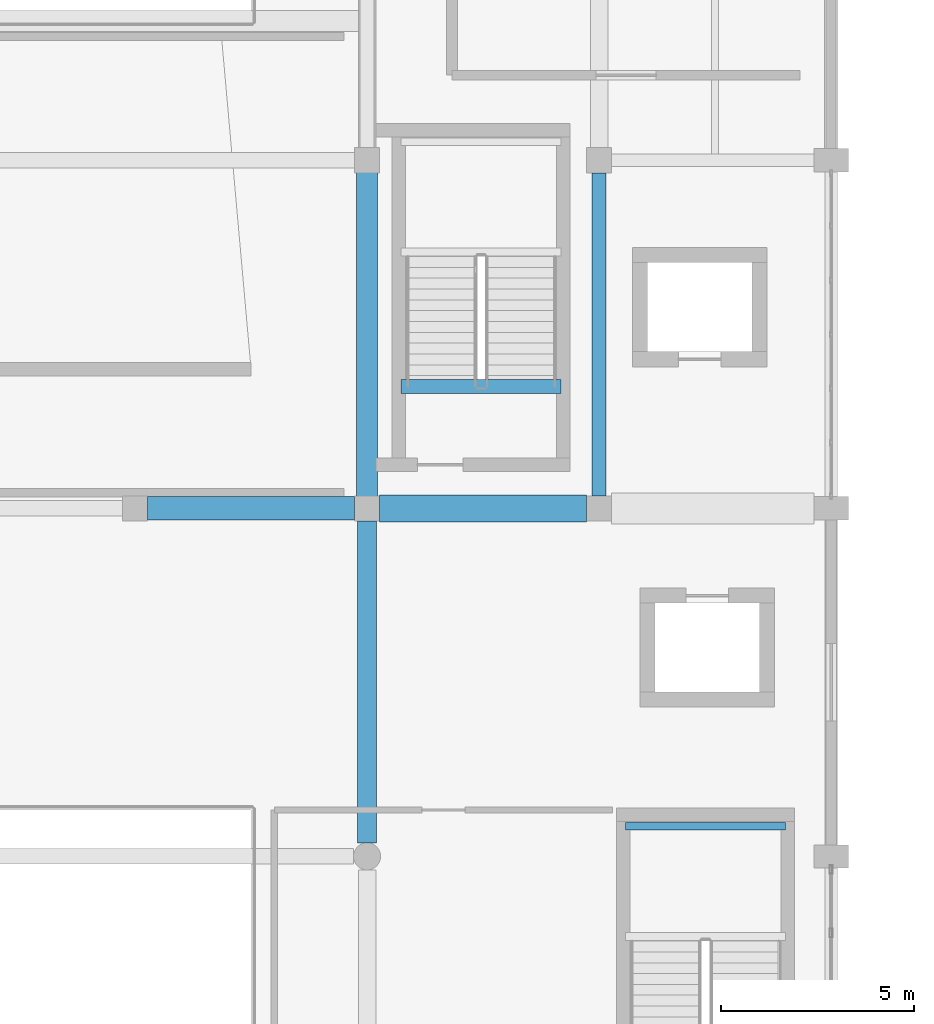
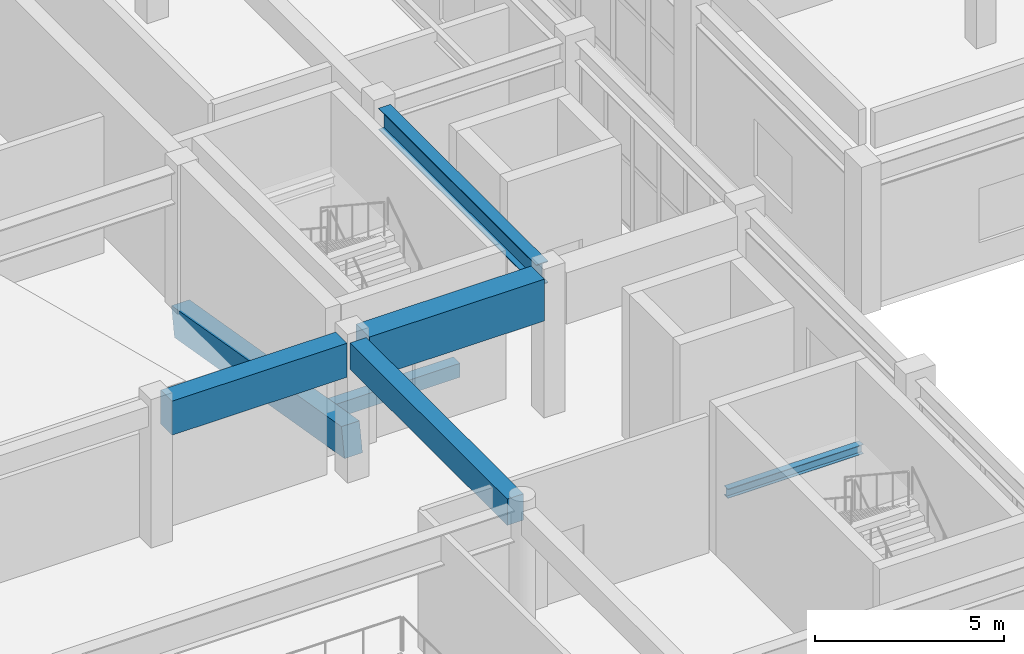
# One storey, part 24 of 85: 7 beams.
"""IFC4 building model written with IfcOpenShell, lengths in metres."""

from ifc_helpers import new_model, si_unit, direction, frame, origin, origin_2d, place, context, subcontext, project, spatial, rectangle, i_section, extrude, material, material_profile, profile_set, type_object, element, save


model = new_model("IFC4")

# Units and contexts
model_context = context("Model", 3, precision=1e-05, world=origin(), true_north=direction((0.0, 1.0)))
body_context = subcontext(model_context, "Body", "Model", "MODEL_VIEW")
ifc_project = project(units=[si_unit("LENGTHUNIT", "METRE"), si_unit("AREAUNIT", "SQUARE_METRE"), si_unit("VOLUMEUNIT", "CUBIC_METRE"), si_unit("PLANEANGLEUNIT", "RADIAN"), si_unit("MASSUNIT", "GRAM", prefix="KILO")], contexts=[model_context])

# Site, building, storey
site_placement = place(None, origin())
site = spatial("IfcSite", under=ifc_project, at=site_placement, CompositionType="ELEMENT")
building_placement = place(site_placement, origin())
building = spatial("IfcBuilding", under=site, at=building_placement, Name="Vaelkrest Opera House", CompositionType="ELEMENT")
storey_placement = place(building_placement, frame((0.0, 0.0, 10.199951171875)))
storey = spatial("IfcBuildingStorey", under=building, at=storey_placement, Name="L02", CompositionType="ELEMENT", Elevation=10.199951171875)

# Beams
ifc_material_1 = material(Name="Concrete C50/60", Category="concrete")
ifc_material_profile_1 = material_profile(ifc_material_1, rectangle(XDim=0.5, YDim=0.85009765625, at=origin_2d()), Name="RCB500X850")
ifc_profile_set_1 = profile_set([ifc_material_profile_1], Name="Concrete C50/60")
beam_type_1 = type_object("IfcBeamType", Name="B03", PredefinedType="BEAM", material=ifc_profile_set_1)
beam_1_placement = place(storey_placement, frame((18.0, -37.449951171875, 4.080078125), z_axis=(0.0, 1.0, 0.0), x_axis=(-1.0, 0.0, 0.0)))
element("IfcBeam", 1, at=beam_1_placement, inside=storey, type_object=beam_type_1, Name="Beam BM-V1-L02-0388", PredefinedType="BEAM", context=body_context, shape_type="SweptSolid", body=[
    extrude(rectangle(XDim=0.5, YDim=0.85009765625, at=origin_2d()), origin(), (0.0, 0.0, 1.0), 8.324951171875),
])
ifc_material_profile_2 = material_profile(ifc_material_1, rectangle(XDim=0.550048828125, YDim=0.949951171875, at=origin_2d()), Name="RCB550X950")
ifc_profile_set_2 = profile_set([ifc_material_profile_2], Name="Concrete C50/60")
beam_type_2 = type_object("IfcBeamType", Name="B04", PredefinedType="BEAM", material=ifc_profile_set_2)
beam_2_placement = place(storey_placement, frame((18.0, -19.800048828125, -0.450927734375), z_axis=(0.0, -0.985566738345, 0.169287342318), x_axis=(1.0, 0.0, 0.0)))
element("IfcBeam", 2, at=beam_2_placement, inside=storey, type_object=beam_type_2, Name="Auditorium raker beam 6", PredefinedType="BEAM", context=body_context, shape_type="SweptSolid", body=[
    extrude(rectangle(XDim=0.550048828125, YDim=0.949951171875, at=origin_2d()), origin(), (0.0, 0.0, 1.0), 9.1318359375),
])
ifc_material_profile_3 = material_profile(ifc_material_1, rectangle(XDim=0.60009765625, YDim=1.10009765625, at=origin_2d()), Name="RCB600X1100")
ifc_profile_set_3 = profile_set([ifc_material_profile_3], Name="Concrete C50/60")
beam_type_3 = type_object("IfcBeamType", Name="B05", PredefinedType="BEAM", material=ifc_profile_set_3)
beam_3_placement = place(storey_placement, frame((12.324951171875, -28.800048828125, 3.955078125), z_axis=(1.0, 0.0, 0.0), x_axis=(0.0, 1.0, 0.0)))
element("IfcBeam", 3, at=beam_3_placement, inside=storey, type_object=beam_type_3, Name="Beam BM-V1-L02-0334", PredefinedType="BEAM", context=body_context, shape_type="SweptSolid", body=[
    extrude(rectangle(XDim=0.60009765625, YDim=1.10009765625, at=origin_2d()), origin(), (0.0, 0.0, 1.0), 5.35009765625),
])
ifc_material_profile_4 = material_profile(ifc_material_1, rectangle(XDim=0.699951171875, YDim=1.35009765625, at=origin_2d()), Name="RCB700X1350")
ifc_profile_set_4 = profile_set([ifc_material_profile_4], Name="Concrete C50/60")
beam_type_4 = type_object("IfcBeamType", Name="B06", PredefinedType="BEAM", material=ifc_profile_set_4)
beam_4_placement = place(storey_placement, frame((18.324951171875, -28.800048828125, 3.830078125), z_axis=(1.0, 0.0, 0.0), x_axis=(0.0, 1.0, 0.0)))
element("IfcBeam", 4, at=beam_4_placement, inside=storey, type_object=beam_type_4, Name="Beam BM-V1-L02-0335", PredefinedType="BEAM", context=body_context, shape_type="SweptSolid", body=[
    extrude(rectangle(XDim=0.699951171875, YDim=1.35009765625, at=origin_2d()), origin(), (0.0, 0.0, 1.0), 5.35009765625),
])
ifc_material_2 = material(Name="Steel A992 Gr50", Category="steel")
ifc_material_profile_5 = material_profile(ifc_material_2, i_section(OverallWidth=0.35791015625, OverallDepth=0.7060546875, WebThickness=0.018310546875, FlangeThickness=0.0302734375, at=origin_2d()), Name="W27X178")
ifc_profile_set_5 = profile_set([ifc_material_profile_5], Name="Steel A992 Gr50")
beam_type_5 = type_object("IfcBeamType", Name="B14", PredefinedType="BEAM", material=ifc_profile_set_5)
beam_5_placement = place(storey_placement, frame((24.0, -28.47509765625, 4.152099609375), z_axis=(0.0, 1.0, 0.0), x_axis=(-1.0, 0.0, 0.0)))
element("IfcBeam", 5, at=beam_5_placement, inside=storey, type_object=beam_type_5, Name="Beam BM-V1-L02-0394", PredefinedType="BEAM", context=body_context, shape_type="SweptSolid", body=[
    extrude(i_section(OverallWidth=0.35791015625, OverallDepth=0.7060546875, WebThickness=0.018310546875, FlangeThickness=0.0302734375, at=origin_2d()), origin(), (0.0, 0.0, 1.0), 8.35009765625),
])
ifc_material_profile_6 = material_profile(ifc_material_2, i_section(OverallWidth=0.202880859375, OverallDepth=0.302978515625, WebThickness=0.007568359375, FlangeThickness=0.01318359375, at=origin_2d()), Name="W12X40")
ifc_profile_set_6 = profile_set([ifc_material_profile_6], Name="Steel A992 Gr50")
beam_type_6 = type_object("IfcBeamType", Name="J02", PredefinedType="JOIST", material=ifc_profile_set_6)
beam_6_placement = place(storey_placement, frame((24.679931640625, -37.02001953125, 2.048583984375), z_axis=(1.0, 0.0, 0.0), x_axis=(0.0, 1.0, 0.0)))
element("IfcBeam", 6, at=beam_6_placement, inside=storey, type_object=beam_type_6, Name="Stair landing bearer beam ST04 L02-1F", PredefinedType="JOIST", context=body_context, shape_type="SweptSolid", body=[
    extrude(i_section(OverallWidth=0.202880859375, OverallDepth=0.302978515625, WebThickness=0.007568359375, FlangeThickness=0.01318359375, at=origin_2d()), origin(), (0.0, 0.0, 1.0), 4.14013671875),
])
ifc_material_profile_7 = material_profile(ifc_material_1, rectangle(XDim=0.35009765625, YDim=0.449951171875, at=origin_2d()), Name="RCB350X450")
ifc_profile_set_7 = profile_set([ifc_material_profile_7], Name="Concrete C50/60")
beam_type_7 = type_object("IfcBeamType", Name="LN01", PredefinedType="LINTEL", material=ifc_profile_set_7)
beam_7_placement = place(storey_placement, frame((18.8798828125, -25.64990234375, -0.224853515625), z_axis=(1.0, 0.0, 0.0), x_axis=(0.0, 1.0, 0.0)))
element("IfcBeam", 7, at=beam_7_placement, inside=storey, type_object=beam_type_7, Name="Stairwell trimmer beam ST02 L02", PredefinedType="LINTEL", context=body_context, shape_type="SweptSolid", body=[
    extrude(rectangle(XDim=0.35009765625, YDim=0.449951171875, at=origin_2d()), origin(), (0.0, 0.0, 1.0), 4.14013671875),
])

save(model, "model.ifc")
